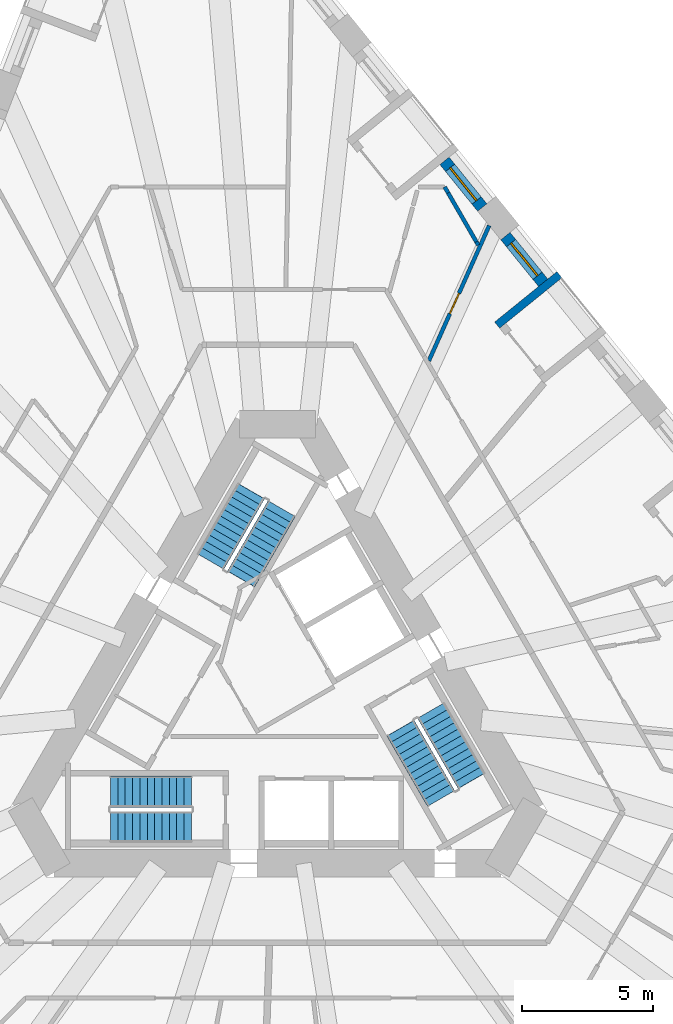
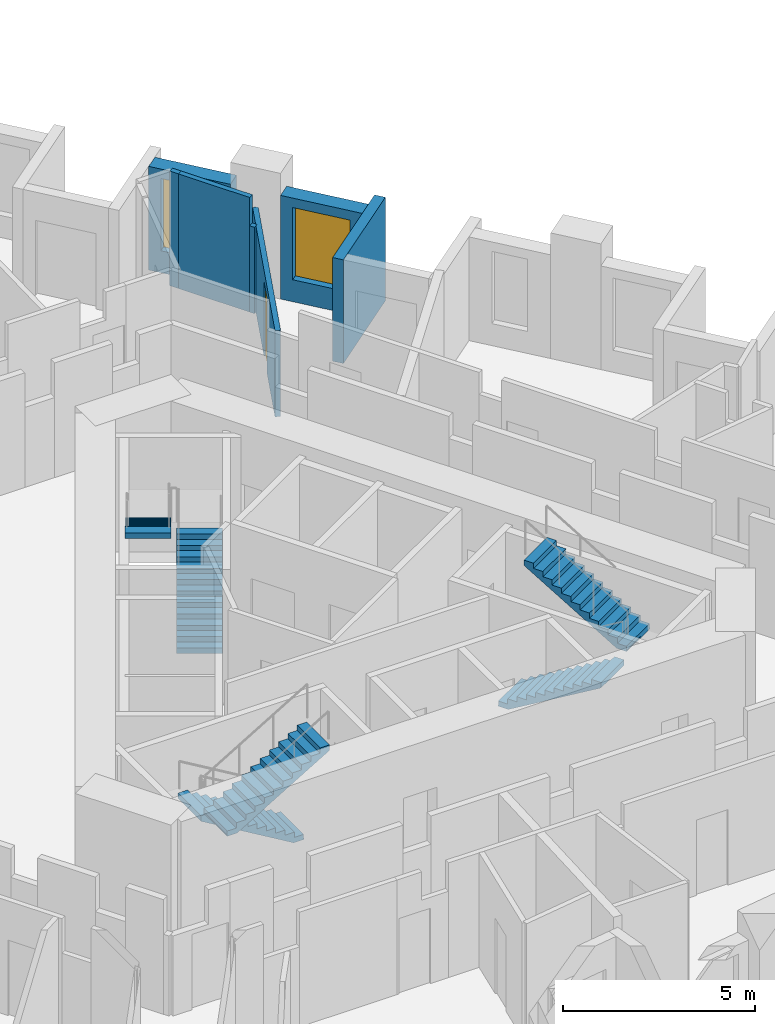
# One storey, part 10 of 14: 7 walls, 6 stair flights, 2 windows, 1 door, 3 openings, 3 elements without a shape of their own.
"""IFC4 building model written with IfcOpenShell, lengths in metres."""

import ifcopenshell
import ifcopenshell.guid

model = None  # the IFC model being written
_history = None  # IfcOwnerHistory: only IFC2X3 demands one
_inside = {}  # id of a spatial element -> (the spatial element, [elements in it])
_under = {}  # id of a project, library or spatial element -> (it, [spatial elements below it])
_declared = {}  # id of a project -> (the project, [libraries it declares])
_typed = {}  # id of a type object -> (the type object, [elements of that type])
_made_of = {}  # id of a material, layer set ... -> (it, [elements and type objects made of it])


def new_model(schema):
    """Start an empty IFC model of exactly this schema.

    Asked for "IFC4X3", IfcOpenShell would pick the latest addendum, in which some entities
    have other attributes; the version numbers below select the first issue.
    IFC2X3 requires an IfcOwnerHistory on every rooted entity: one is made here for all.
    """
    global model, _history
    if schema == "IFC4X3":
        model = ifcopenshell.file(schema_version=(4, 3, 0, 0))
    else:
        model = ifcopenshell.file(schema=schema)
    _inside.clear()
    _under.clear()
    _declared.clear()
    _typed.clear()
    _made_of.clear()
    _history = None
    if model.schema == "IFC2X3":
        org = make("IfcOrganization", Name="unknown")
        user = make(
            "IfcPersonAndOrganization",
            ThePerson=make("IfcPerson", FamilyName="unknown"),
            TheOrganization=org,
        )
        app = make(
            "IfcApplication",
            ApplicationDeveloper=org,
            Version="unknown",
            ApplicationFullName="unknown",
            ApplicationIdentifier="unknown",
        )
        _history = make(
            "IfcOwnerHistory",
            OwningUser=user,
            OwningApplication=app,
            ChangeAction="ADDED",
            CreationDate=0,
        )
    return model


def make(cls, **values):
    """One entity of the class cls with the attributes given. An attribute that is None is left unset."""
    return model.create_entity(
        cls, **{name: value for name, value in values.items() if value is not None}
    )


def rooted(cls, **values):
    """An entity with a GlobalId (a new one), such as an element, a storey or a relation."""
    return make(cls, GlobalId=ifcopenshell.guid.new(), OwnerHistory=_history, **values)


def si_unit(unit_type, name, prefix=None):
    """IfcSIUnit, for example si_unit("LENGTHUNIT", "METRE", prefix="MILLI")."""
    return make("IfcSIUnit", UnitType=unit_type, Prefix=prefix, Name=name)


def assignment(units):
    """IfcUnitAssignment: the units of a project."""
    return None if units is None else make("IfcUnitAssignment", Units=units)


def point(xyz):
    """IfcCartesianPoint."""
    return None if xyz is None else make("IfcCartesianPoint", Coordinates=xyz)


def direction(xyz):
    """IfcDirection."""
    return None if xyz is None else make("IfcDirection", DirectionRatios=xyz)


def frame(location, z_axis=None, x_axis=None):
    """IfcAxis2Placement3D, a coordinate frame: its origin and axes. An axis left out is left unset."""
    return make(
        "IfcAxis2Placement3D",
        Location=point(location),
        Axis=direction(z_axis),
        RefDirection=direction(x_axis),
    )


def frame_2d(location, x_axis=None):
    """IfcAxis2Placement2D, a coordinate frame in the plane: its origin and x axis."""
    return make(
        "IfcAxis2Placement2D", Location=point(location), RefDirection=direction(x_axis)
    )


def origin():
    """The frame at (0, 0, 0) with its axes left unset."""
    return frame((0.0, 0.0, 0.0))


def place(relative_to, where):
    """IfcLocalPlacement: puts the frame where relative to a parent placement (None: the world)."""
    return make(
        "IfcLocalPlacement", PlacementRelTo=relative_to, RelativePlacement=where
    )


def context(
    kind, dimensions, precision=None, world=None, true_north=None, identifier=None
):
    """IfcGeometricRepresentationContext, for example the 3D "Model" context."""
    return make(
        "IfcGeometricRepresentationContext",
        ContextIdentifier=identifier,
        ContextType=kind,
        CoordinateSpaceDimension=dimensions,
        Precision=precision,
        WorldCoordinateSystem=world,
        TrueNorth=true_north,
    )


def subcontext(parent, identifier, kind, view, scale=None):
    """IfcGeometricRepresentationSubContext, for example "Body" below "Model"."""
    return make(
        "IfcGeometricRepresentationSubContext",
        ContextIdentifier=identifier,
        ContextType=kind,
        ParentContext=parent,
        TargetScale=scale,
        TargetView=view,
    )


def project(units=None, contexts=None):
    """IfcProject with its units and contexts."""
    return rooted(
        "IfcProject",
        Name="project",
        RepresentationContexts=contexts,
        UnitsInContext=assignment(units),
    )


def spatial(cls, under=None, at=None, **own):
    """A site, building, storey or space (cls), placed at a placement, below another one or the project."""
    s = rooted(cls, ObjectPlacement=at, **own)
    if under is not None:
        _under.setdefault(under.id(), (under, []))[1].append(s)
    return s


def polyline(points):
    """IfcPolyline through the points."""
    return make("IfcPolyline", Points=[point(p) for p in points])


def profile(cls, at=None, kind="AREA", **sizes):
    """A parametric profile (cls). Its sizes go by their IFC names, for example OverallWidth=200.0."""
    return make(cls, ProfileType=kind, Position=at, **sizes)


def rectangle(**sizes):
    """IfcRectangleProfileDef."""
    return profile("IfcRectangleProfileDef", **sizes)


def outline(outer, holes=None, kind="AREA"):
    """IfcArbitraryClosedProfileDef: a profile drawn as a closed curve; with holes, ...WithVoids."""
    if holes is None:
        return make("IfcArbitraryClosedProfileDef", ProfileType=kind, OuterCurve=outer)
    return make(
        "IfcArbitraryProfileDefWithVoids",
        ProfileType=kind,
        OuterCurve=outer,
        InnerCurves=holes,
    )


def extrude(swept, where, along, depth):
    """IfcExtrudedAreaSolid: the profile swept, set in the frame where, extruded along a direction by depth."""
    return make(
        "IfcExtrudedAreaSolid",
        SweptArea=swept,
        Position=where,
        ExtrudedDirection=direction(along),
        Depth=depth,
    )


def shape(context_of_items, identifier, shape_type, items):
    """IfcShapeRepresentation: the items that make up one representation, for example the "Body"."""
    return make(
        "IfcShapeRepresentation",
        ContextOfItems=context_of_items,
        RepresentationIdentifier=identifier,
        RepresentationType=shape_type,
        Items=items,
    )


def material(Name=None, Category=None):
    """IfcMaterial."""
    return make("IfcMaterial", Name=Name, Category=Category)


def layer(
    of_material, thickness, ventilated=None, Name=None, Category=None, Priority=None
):
    """IfcMaterialLayer: one layer of a wall or slab, of a material (None: an air gap)."""
    return make(
        "IfcMaterialLayer",
        Material=of_material,
        LayerThickness=thickness,
        IsVentilated=ventilated,
        Name=Name,
        Category=Category,
        Priority=Priority,
    )


def layer_set(layers, Name=None):
    """IfcMaterialLayerSet."""
    return make("IfcMaterialLayerSet", MaterialLayers=layers, LayerSetName=Name)


def made_of(thing, what):
    """Note that an element or type object is made of a material, layer set ...; save() writes the relation."""
    if what is not None:
        _made_of.setdefault(what.id(), (what, []))[1].append(thing)
    return thing


def type_object(cls, material=None, **own):
    """A type object (cls), such as IfcWallType, which elements share."""
    return made_of(rooted(cls, **own), material)


def element(
    cls,
    number,
    at=None,
    inside=None,
    cuts=None,
    type_object=None,
    material=None,
    context=None,
    identifier="Body",
    shape_type=None,
    held_by="IfcProductDefinitionShape",
    body=None,
    shapes=None,
    **own,
):
    """One element of the class cls, such as IfcWall. Its Tag is "e" and its number.

    at: its placement. inside: the storey or other place that contains it. cuts: it is an
    opening in that element (IfcRelVoidsElement). A single representation is given by context,
    identifier, shape_type and body (its items); several are given by shapes. held_by: the class
    of the entity that holds the representations. save() writes the other relations.
    """
    e = rooted(cls, Tag="e%d" % number, ObjectPlacement=at, **own)
    if body is not None:
        shapes = [shape(context, identifier, shape_type, body)]
    if shapes is not None:
        e.Representation = make(held_by, Representations=shapes)
    if inside is not None:
        _inside.setdefault(inside.id(), (inside, []))[1].append(e)
    if cuts is not None:
        rooted(
            "IfcRelVoidsElement", RelatingBuildingElement=cuts, RelatedOpeningElement=e
        )
    if type_object is not None:
        _typed.setdefault(type_object.id(), (type_object, []))[1].append(e)
    return made_of(e, material)


def fill(opening, filler):
    """IfcRelFillsElement: the door or window that sits in an opening."""
    return rooted(
        "IfcRelFillsElement",
        RelatingOpeningElement=opening,
        RelatedBuildingElement=filler,
    )


def aggregate(whole, parts):
    """IfcRelAggregates: a whole, such as a stair, and the parts it consists of."""
    return rooted("IfcRelAggregates", RelatingObject=whole, RelatedObjects=parts)


def save(model, path):
    """Write the relations noted so far, then the file.

    IfcRelAggregates (storeys below a building ...), IfcRelContainedInSpatialStructure (elements
    in a storey), IfcRelDefinesByType, IfcRelAssociatesMaterial and IfcRelDeclares: one each for
    every whole, place, type object, material and project.
    """
    for whole, parts in _under.values():
        aggregate(whole, parts)
    for where, things in _inside.values():
        rooted(
            "IfcRelContainedInSpatialStructure",
            RelatedElements=things,
            RelatingStructure=where,
        )
    for kind, things in _typed.values():
        rooted("IfcRelDefinesByType", RelatedObjects=things, RelatingType=kind)
    for what, things in _made_of.values():
        rooted("IfcRelAssociatesMaterial", RelatedObjects=things, RelatingMaterial=what)
    for by, libraries in _declared.values():
        rooted("IfcRelDeclares", RelatingContext=by, RelatedDefinitions=libraries)
    model.write(path)


model = new_model("IFC4")

# Units and contexts
model_context = context("Model", 3, precision=1e-05, world=origin(), true_north=direction((0.0, 1.0)))
body_context = subcontext(model_context, "Body", "Model", "MODEL_VIEW")
ifc_project = project(units=[si_unit("LENGTHUNIT", "METRE"), si_unit("AREAUNIT", "SQUARE_METRE"), si_unit("VOLUMEUNIT", "CUBIC_METRE"), si_unit("PLANEANGLEUNIT", "RADIAN"), si_unit("MASSUNIT", "GRAM", prefix="KILO")], contexts=[model_context])

# Site, building, storey
site_placement = place(None, origin())
site = spatial("IfcSite", under=ifc_project, at=site_placement, CompositionType="ELEMENT")
building_placement = place(site_placement, origin())
building = spatial("IfcBuilding", under=site, at=building_placement, Name="Tramontana Tower", CompositionType="ELEMENT")
storey_placement = place(building_placement, frame((0.0, 0.0, 71.199951171875)))
storey = spatial("IfcBuildingStorey", under=building, at=storey_placement, Name="L15", CompositionType="ELEMENT", Elevation=71.199951171875)

# Wall, opening, window
ifc_material_1 = material(Name="Precast concrete 60 MPa", Category="concrete")
ifc_layer_1 = layer(ifc_material_1, 0.449951171875)
ifc_layer_set_1 = layer_set([ifc_layer_1], Name="Precast concrete 60 MPa, 450 mm")
wall_type_1 = type_object("IfcWallType", Name="EW1 Stone-faced precast wall 450", PredefinedType="SOLIDWALL", material=ifc_layer_set_1)
wall_1_placement = place(storey_placement, frame((10.09814453125, 15.85400390625, 0.0), z_axis=(0.0, 0.0, 1.0), x_axis=(-0.629339730135, 0.777130300576, 0.0)))
wall_1 = element("IfcWall", 1, at=wall_1_placement, inside=storey, type_object=wall_type_1, Name="External wall L15 face 2 bay 4", PredefinedType="SOLIDWALL", context=body_context, shape_type="SweptSolid", body=[
    extrude(rectangle(XDim=2.282958984375, YDim=0.449951171875, at=frame_2d((1.1416015625, 0.0))), origin(), (0.0, 0.0, 1.0), 3.300048828125),
])
opening_1_placement = place(wall_1_placement, frame((0.341552734375, 0.0, 0.699951171875)))
opening_1 = element("IfcOpeningElement", 2, at=opening_1_placement, cuts=wall_1, Name="Opening M1", PredefinedType="OPENING", context=body_context, shape_type="SweptSolid", body=[
    extrude(rectangle(XDim=1.60009765625, YDim=2.300048828125, at=frame_2d((0.800048828125, 1.14990234375))), frame((0.0, 0.23486328125, 0.0), z_axis=(0.0, -1.0, 0.0), x_axis=(1.0, 0.0, 0.0)), (0.0, 0.0, 1.0), 0.469970703125),
])
ifc_material_2 = material(Name="Aluminum frame, double glazing unit", Category="aluminium")
window_type = type_object("IfcWindowType", Name="M1 Window 1.6 x 2.3", PartitioningType="SINGLE_PANEL", PredefinedType="WINDOW", material=ifc_material_2)
window_1_placement = place(opening_1_placement, origin())
window_1 = element("IfcWindow", 3, at=window_1_placement, inside=storey, type_object=window_type, Name="Window M1 L15 face 2 module 12", OverallHeight=2.300048828125, OverallWidth=1.60009765625, PartitioningType="SINGLE_PANEL", PredefinedType="WINDOW", context=body_context, shape_type="SweptSolid", body=[
    extrude(rectangle(XDim=1.60009765625, YDim=2.300048828125, at=frame_2d((0.800048828125, 1.14990234375))), frame((0.0, 0.030029296875, 0.0), z_axis=(0.0, -1.0, 0.0), x_axis=(1.0, 0.0, 0.0)), (0.0, 0.0, 1.0), 0.06005859375),
])
fill(opening_1, window_1)

wall_2_placement = place(storey_placement, frame((7.7802734375, 18.71630859375, 0.0), z_axis=(0.0, 0.0, 1.0), x_axis=(-0.629275139402, 0.777182603337, 0.0)))
wall_2 = element("IfcWall", 4, at=wall_2_placement, inside=storey, type_object=wall_type_1, Name="External wall L15 face 2 bay 5", PredefinedType="SOLIDWALL", context=body_context, shape_type="SweptSolid", body=[
    extrude(rectangle(XDim=2.28271484375, YDim=0.449951171875, at=frame_2d((1.141357421875, 0.0))), origin(), (0.0, 0.0, 1.0), 3.300048828125),
])
opening_2_placement = place(wall_2_placement, frame((0.341552734375, 0.0, 0.699951171875)))
opening_2 = element("IfcOpeningElement", 5, at=opening_2_placement, cuts=wall_2, Name="Opening M1", PredefinedType="OPENING", context=body_context, shape_type="SweptSolid", body=[
    extrude(rectangle(XDim=1.60009765625, YDim=2.300048828125, at=frame_2d((0.800048828125, 1.14990234375))), frame((0.0, 0.23486328125, 0.0), z_axis=(0.0, -1.0, 0.0), x_axis=(1.0, 0.0, 0.0)), (0.0, 0.0, 1.0), 0.469970703125),
])
window_2_placement = place(opening_2_placement, origin())
window_2 = element("IfcWindow", 6, at=window_2_placement, inside=storey, type_object=window_type, Name="Window M1 L15 face 2 module 13", OverallHeight=2.300048828125, OverallWidth=1.60009765625, PartitioningType="SINGLE_PANEL", PredefinedType="WINDOW", context=body_context, shape_type="SweptSolid", body=[
    extrude(rectangle(XDim=1.60009765625, YDim=2.300048828125, at=frame_2d((0.800048828125, 1.14990234375))), frame((0.0, 0.030029296875, 0.0), z_axis=(0.0, -1.0, 0.0), x_axis=(1.0, 0.0, 0.0)), (0.0, 0.0, 1.0), 0.06005859375),
])
fill(opening_2, window_2)

# Walls
ifc_material_3 = material(Name="Precast concrete 60 MPa", Category="concrete")
ifc_layer_2 = layer(ifc_material_3, 0.300048828125)
ifc_layer_set_2 = layer_set([ifc_layer_2], Name="LW1 Stone-faced loggia wall 300")
wall_type_2 = type_object("IfcWallType", Name="LW1 Stone-faced loggia wall 300", PredefinedType="SOLIDWALL", material=ifc_layer_set_2)
wall_3_placement = place(storey_placement, frame((10.717041015625, 16.162353515625, 0.0), z_axis=(0.0, 0.0, 1.0), x_axis=(-0.777121820661, -0.629350201281, 0.0)))
element("IfcWall", 7, at=wall_3_placement, inside=storey, type_object=wall_type_2, Name="Loggia return L15 G1S2.10b", PredefinedType="SOLIDWALL", context=body_context, shape_type="SweptSolid", body=[
    extrude(rectangle(XDim=3.0498046875, YDim=0.300048828125, at=frame_2d((1.52490234375, 0.0))), origin(), (0.0, 0.0, 1.0), 3.300048828125),
])
ifc_material_4 = material(Name="Gypsum board partition")
ifc_layer_3 = layer(ifc_material_4, 0.14990234375)
ifc_layer_set_3 = layer_set([ifc_layer_3], Name="PARTITION 150")
wall_type_3 = type_object("IfcWallType", Name="PARTITION 150", PredefinedType="PARTITIONING", material=ifc_layer_set_3)
wall_4_placement = place(storey_placement, frame((6.48388671875, 19.26953125, 0.0), z_axis=(0.0, 0.0, 1.0), x_axis=(0.50000823972, -0.866020646528, 0.0)))
element("IfcWall", 8, at=wall_4_placement, inside=storey, type_object=wall_type_3, Name="Wall v11-pw39-0", PredefinedType="PARTITIONING", context=body_context, shape_type="SweptSolid", body=[
    extrude(rectangle(XDim=2.14453125, YDim=0.14990234375, at=frame_2d((1.072265625, 0.0))), origin(), (0.0, 0.0, 1.0), 3.650146484375),
])
wall_5_placement = place(storey_placement, frame((7.55615234375, 17.412353515625, 0.0), z_axis=(0.0, 0.0, 1.0), x_axis=(0.500195626709, -0.865912429188, 0.0)))
element("IfcWall", 9, at=wall_5_placement, inside=storey, type_object=wall_type_3, Name="Wall v11-pw39-1", PredefinedType="PARTITIONING", context=body_context, shape_type="SweptSolid", body=[
    extrude(rectangle(XDim=0.14892578125, YDim=0.14990234375, at=frame_2d((0.074462890625, 0.0))), origin(), (0.0, 0.0, 1.0), 2.75),
])

# Wall, opening, door
wall_6_placement = place(storey_placement, frame((5.751220703125, 12.888427734375, 0.0), z_axis=(0.0, 0.0, 1.0), x_axis=(0.407537867325, 0.913188308454, 0.0)))
wall_6 = element("IfcWall", 10, at=wall_6_placement, inside=storey, type_object=wall_type_3, Name="Wall v11-pw40-0", PredefinedType="PARTITIONING", context=body_context, shape_type="SweptSolid", body=[
    extrude(rectangle(XDim=5.631103515625, YDim=0.14990234375, at=frame_2d((2.8154296875, 0.0))), origin(), (0.0, 0.0, 1.0), 2.75),
])
opening_3_placement = place(wall_6_placement, frame((1.958740234375, 0.0, 0.0)))
opening_3 = element("IfcOpeningElement", 11, at=opening_3_placement, cuts=wall_6, Name="Opening B1B-10", PredefinedType="OPENING", context=body_context, shape_type="SweptSolid", body=[
    extrude(rectangle(XDim=0.85009765625, YDim=2.39990234375, at=frame_2d((0.425048828125, 1.199951171875))), frame((0.0, 0.0849609375, 0.0), z_axis=(0.0, -1.0, 0.0), x_axis=(1.0, 0.0, 0.0)), (0.0, 0.0, 1.0), 0.169921875),
])
ifc_material_5 = material(Name="Painted timber", Category="wood")
door_type = type_object("IfcDoorType", Name="DOOR BATH 850", OperationType="SINGLE_SWING_LEFT", PredefinedType="DOOR", material=ifc_material_5)
door_placement = place(opening_3_placement, origin())
door = element("IfcDoor", 12, at=door_placement, inside=storey, type_object=door_type, Name="Door B1B-10", OperationType="SINGLE_SWING_RIGHT", OverallHeight=2.39990234375, OverallWidth=0.85009765625, PredefinedType="DOOR", context=body_context, shape_type="SweptSolid", body=[
    extrude(rectangle(XDim=0.85009765625, YDim=2.39990234375, at=frame_2d((0.425048828125, 1.199951171875))), frame((0.0, 0.02490234375, 0.0), z_axis=(0.0, -1.0, 0.0), x_axis=(1.0, 0.0, 0.0)), (0.0, 0.0, 1.0), 0.050048828125),
])
fill(opening_3, door)

# Wall
wall_7_placement = place(storey_placement, frame((6.350830078125, 19.5, 0.0), z_axis=(0.0, 0.0, 1.0), x_axis=(0.499987164874, -0.866032814021, 0.0)))
element("IfcWall", 13, at=wall_7_placement, inside=storey, type_object=wall_type_3, Name="Wall v11-pwc00", PredefinedType="PARTITIONING", context=body_context, shape_type="SweptSolid", body=[
    extrude(rectangle(XDim=0.26611328125, YDim=0.14990234375, at=frame_2d((0.133056640625, 0.0))), origin(), (0.0, 0.0, 1.0), 3.650146484375),
])

# Stair, stair flights
ifc_material_6 = material(Name="Concrete 40 MPa", Category="concrete")
stair_type = type_object("IfcStairType", Name="EXIT STAIR 24 RISERS", PredefinedType="HALF_TURN_STAIR", material=ifc_material_6)
stair_1_placement = place(storey_placement, origin())
stair_1 = element("IfcStair", 14, at=stair_1_placement, inside=storey, type_object=stair_type, Name="L15 Exit stair ST1", PredefinedType="HALF_TURN_STAIR")
ifc_material_7 = material(Name="Concrete 40 MPa", Category="concrete")
ifc_layer_4 = layer(ifc_material_7, 0.14990234375)
ifc_layer_set_4 = layer_set([ifc_layer_4], Name="EXIT STAIR FLIGHT")
stair_flight_type = type_object("IfcStairFlightType", Name="EXIT STAIR FLIGHT", PredefinedType="STRAIGHT", material=ifc_layer_set_4)
stair_flight_1_placement = place(storey_placement, frame((-1.39111328125, 4.590576171875, 0.0), z_axis=(0.0, 0.0, 1.0), x_axis=(0.5, 0.866025403784, 0.0)))
stair_flight_1 = element("IfcStairFlight", 15, at=stair_flight_1_placement, type_object=stair_flight_type, Name="ST1 flight 1", NumberOfRisers=12, NumberOfTreads=11, PredefinedType="STRAIGHT", RiserHeight=0.166666667, TreadLength=0.28, context=body_context, shape_type="SweptSolid", body=[
    extrude(outline(polyline([(-0.006103515625, 0.0), (-0.006103515625, 0.0400390625), (0.0, 0.0400390625), (0.0, 0.166748046875), (0.280029296875, 0.166748046875), (0.280029296875, 0.333251953125), (0.56005859375, 0.333251953125), (0.56005859375, 0.5), (0.840087890625, 0.5), (0.840087890625, 0.666748046875), (1.1201171875, 0.666748046875), (1.1201171875, 0.833251953125), (1.39990234375, 0.833251953125), (1.39990234375, 1.0), (1.679931640625, 1.0), (1.679931640625, 1.166748046875), (1.9599609375, 1.166748046875), (1.9599609375, 1.333251953125), (2.239990234375, 1.333251953125), (2.239990234375, 1.5), (2.52001953125, 1.5), (2.52001953125, 1.666748046875), (2.800048828125, 1.666748046875), (2.800048828125, 1.833251953125), (3.080078125, 1.833251953125), (3.0859375, 1.833251953125), (3.0859375, 1.658935546875), (0.299072265625, 0.0), (-0.006103515625, 0.0)])), frame((0.0, 0.60009765625, 0.0), z_axis=(0.0, -1.0, 0.0), x_axis=(1.0, 0.0, 0.0)), (0.0, 0.0, 1.0), 1.199951171875),
])
stair_flight_2_placement = place(storey_placement, frame((-1.020263671875, 7.932861328125, 2.0), z_axis=(0.0, 0.0, 1.0), x_axis=(-0.5, -0.866025403784, 0.0)))
stair_flight_2 = element("IfcStairFlight", 16, at=stair_flight_2_placement, type_object=stair_flight_type, Name="ST1 flight 2", NumberOfRisers=12, NumberOfTreads=11, PredefinedType="STRAIGHT", RiserHeight=0.166666667, TreadLength=0.28, context=body_context, shape_type="SweptSolid", body=[
    extrude(outline(polyline([(-0.006103515625, 0.0), (-0.006103515625, 0.0400390625), (0.0, 0.0400390625), (0.0, 0.166748046875), (0.280029296875, 0.166748046875), (0.280029296875, 0.333251953125), (0.56005859375, 0.333251953125), (0.56005859375, 0.5), (0.840087890625, 0.5), (0.840087890625, 0.666748046875), (1.1201171875, 0.666748046875), (1.1201171875, 0.833251953125), (1.39990234375, 0.833251953125), (1.39990234375, 1.0), (1.679931640625, 1.0), (1.679931640625, 1.166748046875), (1.9599609375, 1.166748046875), (1.9599609375, 1.333251953125), (2.239990234375, 1.333251953125), (2.239990234375, 1.5), (2.52001953125, 1.5), (2.52001953125, 1.666748046875), (2.800048828125, 1.666748046875), (2.800048828125, 1.833251953125), (3.080078125, 1.833251953125), (3.0859375, 1.833251953125), (3.0859375, 1.658935546875), (0.299072265625, 0.0), (-0.006103515625, 0.0)])), frame((0.0, 0.60009765625, 0.0), z_axis=(0.0, -1.0, 0.0), x_axis=(1.0, 0.0, 0.0)), (0.0, 0.0, 1.0), 1.199951171875),
])
aggregate(stair_1, [stair_flight_1, stair_flight_2])

stair_2_placement = place(storey_placement, origin())
stair_2 = element("IfcStair", 17, at=stair_2_placement, inside=storey, type_object=stair_type, Name="L15 Exit stair ST2", PredefinedType="HALF_TURN_STAIR")
stair_flight_3_placement = place(storey_placement, frame((-3.280029296875, -3.5, 0.0), z_axis=(0.0, 0.0, 1.0), x_axis=(-1.0, 0.0, 0.0)))
stair_flight_3 = element("IfcStairFlight", 18, at=stair_flight_3_placement, type_object=stair_flight_type, Name="ST2 flight 1", NumberOfRisers=12, NumberOfTreads=11, PredefinedType="STRAIGHT", RiserHeight=0.166666667, TreadLength=0.28, context=body_context, shape_type="SweptSolid", body=[
    extrude(outline(polyline([(-0.006103515625, 0.0), (-0.006103515625, 0.0400390625), (0.0, 0.0400390625), (0.0, 0.166748046875), (0.280029296875, 0.166748046875), (0.280029296875, 0.333251953125), (0.56005859375, 0.333251953125), (0.56005859375, 0.5), (0.840087890625, 0.5), (0.840087890625, 0.666748046875), (1.1201171875, 0.666748046875), (1.1201171875, 0.833251953125), (1.39990234375, 0.833251953125), (1.39990234375, 1.0), (1.679931640625, 1.0), (1.679931640625, 1.166748046875), (1.9599609375, 1.166748046875), (1.9599609375, 1.333251953125), (2.239990234375, 1.333251953125), (2.239990234375, 1.5), (2.52001953125, 1.5), (2.52001953125, 1.666748046875), (2.800048828125, 1.666748046875), (2.800048828125, 1.833251953125), (3.080078125, 1.833251953125), (3.0859375, 1.833251953125), (3.0859375, 1.658935546875), (0.299072265625, 0.0), (-0.006103515625, 0.0)])), frame((0.0, 0.60009765625, 0.0), z_axis=(0.0, -1.0, 0.0), x_axis=(1.0, 0.0, 0.0)), (0.0, 0.0, 1.0), 1.199951171875),
])
stair_flight_4_placement = place(storey_placement, frame((-6.360107421875, -4.85009765625, 2.0), z_axis=(0.0, 0.0, 1.0), x_axis=(1.0, 0.0, 0.0)))
stair_flight_4 = element("IfcStairFlight", 19, at=stair_flight_4_placement, type_object=stair_flight_type, Name="ST2 flight 2", NumberOfRisers=12, NumberOfTreads=11, PredefinedType="STRAIGHT", RiserHeight=0.166666667, TreadLength=0.28, context=body_context, shape_type="SweptSolid", body=[
    extrude(outline(polyline([(-0.006103515625, 0.0), (-0.006103515625, 0.0400390625), (0.0, 0.0400390625), (0.0, 0.166748046875), (0.280029296875, 0.166748046875), (0.280029296875, 0.333251953125), (0.56005859375, 0.333251953125), (0.56005859375, 0.5), (0.840087890625, 0.5), (0.840087890625, 0.666748046875), (1.1201171875, 0.666748046875), (1.1201171875, 0.833251953125), (1.39990234375, 0.833251953125), (1.39990234375, 1.0), (1.679931640625, 1.0), (1.679931640625, 1.166748046875), (1.9599609375, 1.166748046875), (1.9599609375, 1.333251953125), (2.239990234375, 1.333251953125), (2.239990234375, 1.5), (2.52001953125, 1.5), (2.52001953125, 1.666748046875), (2.800048828125, 1.666748046875), (2.800048828125, 1.833251953125), (3.080078125, 1.833251953125), (3.0859375, 1.833251953125), (3.0859375, 1.658935546875), (0.299072265625, 0.0), (-0.006103515625, 0.0)])), frame((0.0, 0.60009765625, 0.0), z_axis=(0.0, -1.0, 0.0), x_axis=(1.0, 0.0, 0.0)), (0.0, 0.0, 1.0), 1.199951171875),
])
aggregate(stair_2, [stair_flight_3, stair_flight_4])

stair_3_placement = place(storey_placement, origin())
stair_3 = element("IfcStair", 20, at=stair_3_placement, inside=storey, type_object=stair_type, Name="L15 Exit stair ST3", PredefinedType="HALF_TURN_STAIR")
stair_flight_5_placement = place(storey_placement, frame((4.671142578125, -1.090576171875, 0.0), z_axis=(0.0, 0.0, 1.0), x_axis=(0.5, -0.866025403784, 0.0)))
stair_flight_5 = element("IfcStairFlight", 21, at=stair_flight_5_placement, type_object=stair_flight_type, Name="ST3 flight 1", NumberOfRisers=12, NumberOfTreads=11, PredefinedType="STRAIGHT", RiserHeight=0.166666667, TreadLength=0.28, context=body_context, shape_type="SweptSolid", body=[
    extrude(outline(polyline([(-0.006103515625, 0.0), (-0.006103515625, 0.0400390625), (0.0, 0.0400390625), (0.0, 0.166748046875), (0.280029296875, 0.166748046875), (0.280029296875, 0.333251953125), (0.56005859375, 0.333251953125), (0.56005859375, 0.5), (0.840087890625, 0.5), (0.840087890625, 0.666748046875), (1.1201171875, 0.666748046875), (1.1201171875, 0.833251953125), (1.39990234375, 0.833251953125), (1.39990234375, 1.0), (1.679931640625, 1.0), (1.679931640625, 1.166748046875), (1.9599609375, 1.166748046875), (1.9599609375, 1.333251953125), (2.239990234375, 1.333251953125), (2.239990234375, 1.5), (2.52001953125, 1.5), (2.52001953125, 1.666748046875), (2.800048828125, 1.666748046875), (2.800048828125, 1.833251953125), (3.080078125, 1.833251953125), (3.0859375, 1.833251953125), (3.0859375, 1.658935546875), (0.299072265625, 0.0), (-0.006103515625, 0.0)])), frame((0.0, 0.60009765625, 0.0), z_axis=(0.0, -1.0, 0.0), x_axis=(1.0, 0.0, 0.0)), (0.0, 0.0, 1.0), 1.199951171875),
])
stair_flight_6_placement = place(storey_placement, frame((7.380126953125, -3.0830078125, 2.0), z_axis=(0.0, 0.0, 1.0), x_axis=(-0.5, 0.866025403784, 0.0)))
stair_flight_6 = element("IfcStairFlight", 22, at=stair_flight_6_placement, type_object=stair_flight_type, Name="ST3 flight 2", NumberOfRisers=12, NumberOfTreads=11, PredefinedType="STRAIGHT", RiserHeight=0.166666667, TreadLength=0.28, context=body_context, shape_type="SweptSolid", body=[
    extrude(outline(polyline([(-0.006103515625, 0.0), (-0.006103515625, 0.0400390625), (0.0, 0.0400390625), (0.0, 0.166748046875), (0.280029296875, 0.166748046875), (0.280029296875, 0.333251953125), (0.56005859375, 0.333251953125), (0.56005859375, 0.5), (0.840087890625, 0.5), (0.840087890625, 0.666748046875), (1.1201171875, 0.666748046875), (1.1201171875, 0.833251953125), (1.39990234375, 0.833251953125), (1.39990234375, 1.0), (1.679931640625, 1.0), (1.679931640625, 1.166748046875), (1.9599609375, 1.166748046875), (1.9599609375, 1.333251953125), (2.239990234375, 1.333251953125), (2.239990234375, 1.5), (2.52001953125, 1.5), (2.52001953125, 1.666748046875), (2.800048828125, 1.666748046875), (2.800048828125, 1.833251953125), (3.080078125, 1.833251953125), (3.0859375, 1.833251953125), (3.0859375, 1.658935546875), (0.299072265625, 0.0), (-0.006103515625, 0.0)])), frame((0.0, 0.60009765625, 0.0), z_axis=(0.0, -1.0, 0.0), x_axis=(1.0, 0.0, 0.0)), (0.0, 0.0, 1.0), 1.199951171875),
])
aggregate(stair_3, [stair_flight_5, stair_flight_6])

save(model, "model.ifc")
